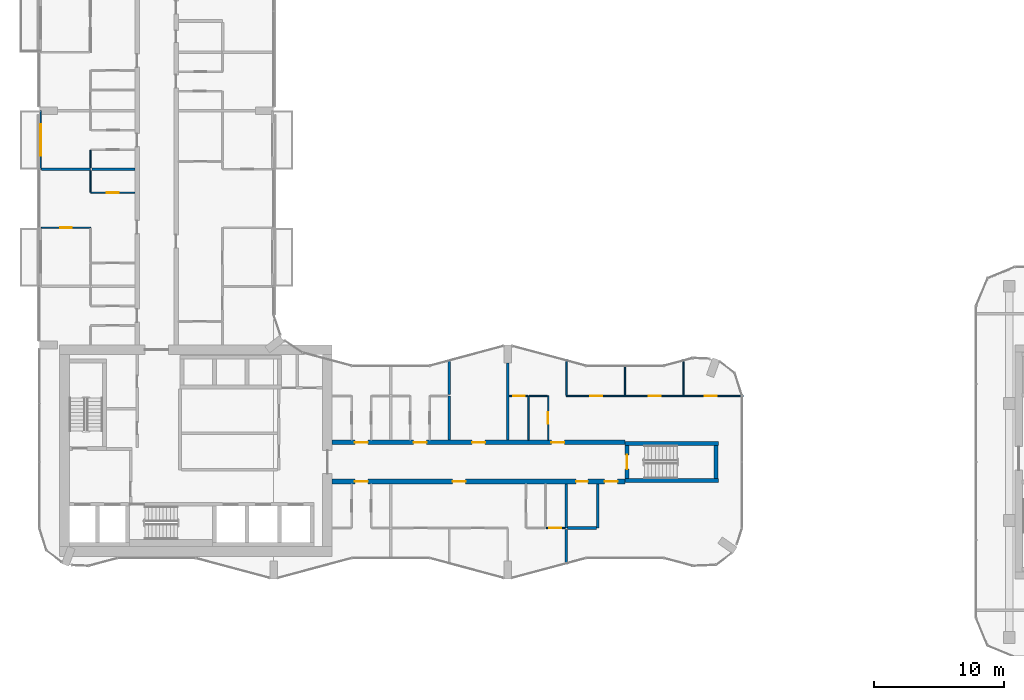
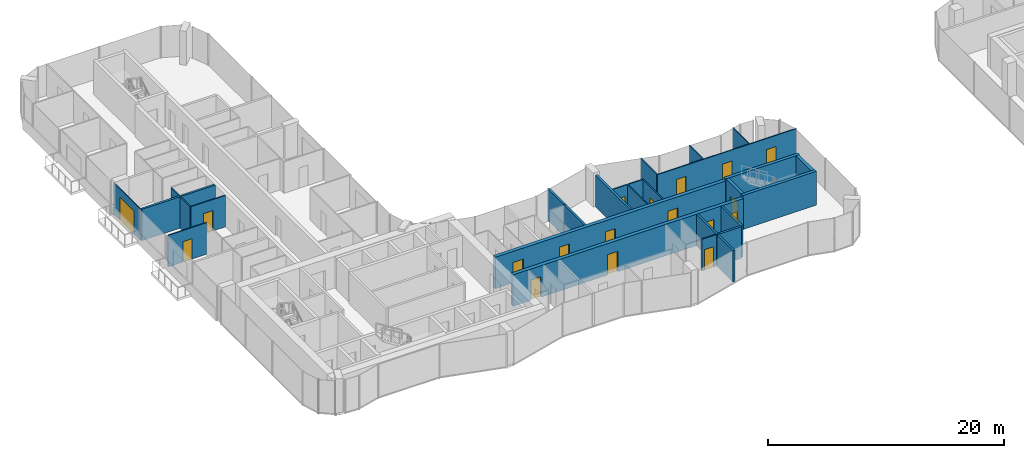
# One storey, part 15 of 23: 29 walls, 18 doors, 18 openings.
"""IFC4 building model written with IfcOpenShell, lengths in metres."""

import ifcopenshell
import ifcopenshell.guid

model = None  # the IFC model being written
_history = None  # IfcOwnerHistory: only IFC2X3 demands one
_inside = {}  # id of a spatial element -> (the spatial element, [elements in it])
_under = {}  # id of a project, library or spatial element -> (it, [spatial elements below it])
_declared = {}  # id of a project -> (the project, [libraries it declares])
_typed = {}  # id of a type object -> (the type object, [elements of that type])
_made_of = {}  # id of a material, layer set ... -> (it, [elements and type objects made of it])


def new_model(schema):
    """Start an empty IFC model of exactly this schema.

    Asked for "IFC4X3", IfcOpenShell would pick the latest addendum, in which some entities
    have other attributes; the version numbers below select the first issue.
    IFC2X3 requires an IfcOwnerHistory on every rooted entity: one is made here for all.
    """
    global model, _history
    if schema == "IFC4X3":
        model = ifcopenshell.file(schema_version=(4, 3, 0, 0))
    else:
        model = ifcopenshell.file(schema=schema)
    _inside.clear()
    _under.clear()
    _declared.clear()
    _typed.clear()
    _made_of.clear()
    _history = None
    if model.schema == "IFC2X3":
        org = make("IfcOrganization", Name="unknown")
        user = make(
            "IfcPersonAndOrganization",
            ThePerson=make("IfcPerson", FamilyName="unknown"),
            TheOrganization=org,
        )
        app = make(
            "IfcApplication",
            ApplicationDeveloper=org,
            Version="unknown",
            ApplicationFullName="unknown",
            ApplicationIdentifier="unknown",
        )
        _history = make(
            "IfcOwnerHistory",
            OwningUser=user,
            OwningApplication=app,
            ChangeAction="ADDED",
            CreationDate=0,
        )
    return model


def make(cls, **values):
    """One entity of the class cls with the attributes given. An attribute that is None is left unset."""
    return model.create_entity(
        cls, **{name: value for name, value in values.items() if value is not None}
    )


def rooted(cls, **values):
    """An entity with a GlobalId (a new one), such as an element, a storey or a relation."""
    return make(cls, GlobalId=ifcopenshell.guid.new(), OwnerHistory=_history, **values)


def si_unit(unit_type, name, prefix=None):
    """IfcSIUnit, for example si_unit("LENGTHUNIT", "METRE", prefix="MILLI")."""
    return make("IfcSIUnit", UnitType=unit_type, Prefix=prefix, Name=name)


def assignment(units):
    """IfcUnitAssignment: the units of a project."""
    return None if units is None else make("IfcUnitAssignment", Units=units)


def point(xyz):
    """IfcCartesianPoint."""
    return None if xyz is None else make("IfcCartesianPoint", Coordinates=xyz)


def direction(xyz):
    """IfcDirection."""
    return None if xyz is None else make("IfcDirection", DirectionRatios=xyz)


def frame(location, z_axis=None, x_axis=None):
    """IfcAxis2Placement3D, a coordinate frame: its origin and axes. An axis left out is left unset."""
    return make(
        "IfcAxis2Placement3D",
        Location=point(location),
        Axis=direction(z_axis),
        RefDirection=direction(x_axis),
    )


def frame_2d(location, x_axis=None):
    """IfcAxis2Placement2D, a coordinate frame in the plane: its origin and x axis."""
    return make(
        "IfcAxis2Placement2D", Location=point(location), RefDirection=direction(x_axis)
    )


def origin():
    """The frame at (0, 0, 0) with its axes left unset."""
    return frame((0.0, 0.0, 0.0))


def place(relative_to, where):
    """IfcLocalPlacement: puts the frame where relative to a parent placement (None: the world)."""
    return make(
        "IfcLocalPlacement", PlacementRelTo=relative_to, RelativePlacement=where
    )


def context(
    kind, dimensions, precision=None, world=None, true_north=None, identifier=None
):
    """IfcGeometricRepresentationContext, for example the 3D "Model" context."""
    return make(
        "IfcGeometricRepresentationContext",
        ContextIdentifier=identifier,
        ContextType=kind,
        CoordinateSpaceDimension=dimensions,
        Precision=precision,
        WorldCoordinateSystem=world,
        TrueNorth=true_north,
    )


def subcontext(parent, identifier, kind, view, scale=None):
    """IfcGeometricRepresentationSubContext, for example "Body" below "Model"."""
    return make(
        "IfcGeometricRepresentationSubContext",
        ContextIdentifier=identifier,
        ContextType=kind,
        ParentContext=parent,
        TargetScale=scale,
        TargetView=view,
    )


def project(units=None, contexts=None):
    """IfcProject with its units and contexts."""
    return rooted(
        "IfcProject",
        Name="project",
        RepresentationContexts=contexts,
        UnitsInContext=assignment(units),
    )


def spatial(cls, under=None, at=None, **own):
    """A site, building, storey or space (cls), placed at a placement, below another one or the project."""
    s = rooted(cls, ObjectPlacement=at, **own)
    if under is not None:
        _under.setdefault(under.id(), (under, []))[1].append(s)
    return s


def profile(cls, at=None, kind="AREA", **sizes):
    """A parametric profile (cls). Its sizes go by their IFC names, for example OverallWidth=200.0."""
    return make(cls, ProfileType=kind, Position=at, **sizes)


def rectangle(**sizes):
    """IfcRectangleProfileDef."""
    return profile("IfcRectangleProfileDef", **sizes)


def extrude(swept, where, along, depth):
    """IfcExtrudedAreaSolid: the profile swept, set in the frame where, extruded along a direction by depth."""
    return make(
        "IfcExtrudedAreaSolid",
        SweptArea=swept,
        Position=where,
        ExtrudedDirection=direction(along),
        Depth=depth,
    )


def shape(context_of_items, identifier, shape_type, items):
    """IfcShapeRepresentation: the items that make up one representation, for example the "Body"."""
    return make(
        "IfcShapeRepresentation",
        ContextOfItems=context_of_items,
        RepresentationIdentifier=identifier,
        RepresentationType=shape_type,
        Items=items,
    )


def material(Name=None, Category=None):
    """IfcMaterial."""
    return make("IfcMaterial", Name=Name, Category=Category)


def layer(
    of_material, thickness, ventilated=None, Name=None, Category=None, Priority=None
):
    """IfcMaterialLayer: one layer of a wall or slab, of a material (None: an air gap)."""
    return make(
        "IfcMaterialLayer",
        Material=of_material,
        LayerThickness=thickness,
        IsVentilated=ventilated,
        Name=Name,
        Category=Category,
        Priority=Priority,
    )


def layer_set(layers, Name=None):
    """IfcMaterialLayerSet."""
    return make("IfcMaterialLayerSet", MaterialLayers=layers, LayerSetName=Name)


def made_of(thing, what):
    """Note that an element or type object is made of a material, layer set ...; save() writes the relation."""
    if what is not None:
        _made_of.setdefault(what.id(), (what, []))[1].append(thing)
    return thing


def type_object(cls, material=None, **own):
    """A type object (cls), such as IfcWallType, which elements share."""
    return made_of(rooted(cls, **own), material)


def element(
    cls,
    number,
    at=None,
    inside=None,
    cuts=None,
    type_object=None,
    material=None,
    context=None,
    identifier="Body",
    shape_type=None,
    held_by="IfcProductDefinitionShape",
    body=None,
    shapes=None,
    **own,
):
    """One element of the class cls, such as IfcWall. Its Tag is "e" and its number.

    at: its placement. inside: the storey or other place that contains it. cuts: it is an
    opening in that element (IfcRelVoidsElement). A single representation is given by context,
    identifier, shape_type and body (its items); several are given by shapes. held_by: the class
    of the entity that holds the representations. save() writes the other relations.
    """
    e = rooted(cls, Tag="e%d" % number, ObjectPlacement=at, **own)
    if body is not None:
        shapes = [shape(context, identifier, shape_type, body)]
    if shapes is not None:
        e.Representation = make(held_by, Representations=shapes)
    if inside is not None:
        _inside.setdefault(inside.id(), (inside, []))[1].append(e)
    if cuts is not None:
        rooted(
            "IfcRelVoidsElement", RelatingBuildingElement=cuts, RelatedOpeningElement=e
        )
    if type_object is not None:
        _typed.setdefault(type_object.id(), (type_object, []))[1].append(e)
    return made_of(e, material)


def fill(opening, filler):
    """IfcRelFillsElement: the door or window that sits in an opening."""
    return rooted(
        "IfcRelFillsElement",
        RelatingOpeningElement=opening,
        RelatedBuildingElement=filler,
    )


def aggregate(whole, parts):
    """IfcRelAggregates: a whole, such as a stair, and the parts it consists of."""
    return rooted("IfcRelAggregates", RelatingObject=whole, RelatedObjects=parts)


def save(model, path):
    """Write the relations noted so far, then the file.

    IfcRelAggregates (storeys below a building ...), IfcRelContainedInSpatialStructure (elements
    in a storey), IfcRelDefinesByType, IfcRelAssociatesMaterial and IfcRelDeclares: one each for
    every whole, place, type object, material and project.
    """
    for whole, parts in _under.values():
        aggregate(whole, parts)
    for where, things in _inside.values():
        rooted(
            "IfcRelContainedInSpatialStructure",
            RelatedElements=things,
            RelatingStructure=where,
        )
    for kind, things in _typed.values():
        rooted("IfcRelDefinesByType", RelatedObjects=things, RelatingType=kind)
    for what, things in _made_of.values():
        rooted("IfcRelAssociatesMaterial", RelatedObjects=things, RelatingMaterial=what)
    for by, libraries in _declared.values():
        rooted("IfcRelDeclares", RelatingContext=by, RelatedDefinitions=libraries)
    model.write(path)


model = new_model("IFC4")

# Units and contexts
model_context = context("Model", 3, precision=1e-05, world=origin(), true_north=direction((0.0, 1.0)))
body_context = subcontext(model_context, "Body", "Model", "MODEL_VIEW")
ifc_project = project(units=[si_unit("LENGTHUNIT", "METRE"), si_unit("AREAUNIT", "SQUARE_METRE"), si_unit("VOLUMEUNIT", "CUBIC_METRE"), si_unit("PLANEANGLEUNIT", "RADIAN"), si_unit("MASSUNIT", "GRAM", prefix="KILO")], contexts=[model_context])

# Site, building, storey
site_placement = place(None, origin())
site = spatial("IfcSite", under=ifc_project, at=site_placement, CompositionType="ELEMENT")
building_placement = place(site_placement, origin())
building = spatial("IfcBuilding", under=site, at=building_placement, Name="Plateau Cross Towers", CompositionType="ELEMENT")
storey_placement = place(building_placement, frame((0.0, 0.0, 33.800048828125)))
storey = spatial("IfcBuildingStorey", under=building, at=storey_placement, Name="L07", CompositionType="ELEMENT", Elevation=33.800048828125)

# Wall, opening, door
ifc_material_1 = material(Name="Aluminium framed glazing", Category="aluminium")
ifc_layer_1 = layer(ifc_material_1, 0.10009765625)
ifc_layer_set_1 = layer_set([ifc_layer_1], Name="Aluminium framed glazing")
wall_type_1 = type_object("IfcWallType", Name="Balcony screen wall 100", PredefinedType="STANDARD", material=ifc_layer_set_1)
wall_1_placement = place(storey_placement, frame((0.10009765625, 31.5, 0.0), z_axis=(0.0, 0.0, 1.0), x_axis=(0.0, 1.0, 0.0)))
wall_1 = element("IfcWall", 1, at=wall_1_placement, inside=storey, type_object=wall_type_1, Name="Balcony screen wall A-BAL-L07-02", PredefinedType="STANDARD", context=body_context, shape_type="SweptSolid", body=[
    extrude(rectangle(XDim=4.5, YDim=0.10009765625, at=frame_2d((2.25, 0.0))), origin(), (0.0, 0.0, 1.0), 3.25),
])
opening_1_placement = place(wall_1_placement, frame((1.050048828125, 0.0, 0.0)))
opening_1 = element("IfcOpeningElement", 2, at=opening_1_placement, cuts=wall_1, Name="Opening D-B24", PredefinedType="OPENING", context=body_context, shape_type="SweptSolid", body=[
    extrude(rectangle(XDim=2.39990234375, YDim=2.39990234375, at=frame_2d((1.199951171875, 1.199951171875))), frame((0.0, 0.06005859375, 0.0), z_axis=(0.0, -1.0, 0.0), x_axis=(1.0, 0.0, 0.0)), (0.0, 0.0, 1.0), 0.1201171875),
])
ifc_material_2 = material(Name="Aluminium frame, double glazing", Category="aluminium")
door_type_1 = type_object("IfcDoorType", Name="Balcony sliding door 2400", OperationType="NOTDEFINED", PredefinedType="DOOR", material=ifc_material_2)
door_1_placement = place(opening_1_placement, origin())
door_1 = element("IfcDoor", 3, at=door_1_placement, inside=storey, type_object=door_type_1, Name="Balcony door A-BAL-L07-02", OperationType="SINGLE_SWING_LEFT", OverallHeight=2.39990234375, OverallWidth=2.39990234375, PredefinedType="DOOR", context=body_context, shape_type="SweptSolid", body=[
    extrude(rectangle(XDim=2.39990234375, YDim=2.39990234375, at=frame_2d((1.199951171875, 1.199951171875))), frame((0.0, 0.02490234375, 0.0), z_axis=(0.0, -1.0, 0.0), x_axis=(1.0, 0.0, 0.0)), (0.0, 0.0, 1.0), 0.050048828125),
])
fill(opening_1, door_1)

# Wall, openings, doors
ifc_material_3 = material(Name="Concrete C60/75", Category="concrete")
ifc_layer_2 = layer(ifc_material_3, 0.35009765625)
ifc_layer_set_2 = layer_set([ifc_layer_2], Name="Concrete C60/75")
wall_type_2 = type_object("IfcWallType", Name="Corridor wall 350", PredefinedType="SHEAR", material=ifc_layer_set_2)
wall_2_placement = place(storey_placement, frame((22.5, 7.5, 0.0), z_axis=(0.0, 0.0, 1.0), x_axis=(1.0, 0.0, 0.0)))
wall_2 = element("IfcWall", 4, at=wall_2_placement, inside=storey, type_object=wall_type_2, Name="A-cw-S1@L07", PredefinedType="SHEAR", context=body_context, shape_type="SweptSolid", body=[
    extrude(rectangle(XDim=22.5, YDim=0.35009765625, at=frame_2d((11.25, 0.0))), origin(), (0.0, 0.0, 1.0), 3.25),
])
opening_2_placement = place(wall_2_placement, frame((1.75, 0.0, 0.0)))
opening_2 = element("IfcOpeningElement", 5, at=opening_2_placement, cuts=wall_2, Name="Opening 07-01", PredefinedType="OPENING", context=body_context, shape_type="SweptSolid", body=[
    extrude(rectangle(XDim=1.0, YDim=2.10009765625, at=frame_2d((0.5, 1.050048828125))), frame((0.0, 0.18505859375, 0.0), z_axis=(0.0, -1.0, 0.0), x_axis=(1.0, 0.0, 0.0)), (0.0, 0.0, 1.0), 0.3701171875),
])
opening_3_placement = place(wall_2_placement, frame((9.25, 0.0, 0.0)))
opening_3 = element("IfcOpeningElement", 6, at=opening_3_placement, cuts=wall_2, Name="Opening 07-02", PredefinedType="OPENING", context=body_context, shape_type="SweptSolid", body=[
    extrude(rectangle(XDim=1.0, YDim=2.10009765625, at=frame_2d((0.5, 1.050048828125))), frame((0.0, 0.18505859375, 0.0), z_axis=(0.0, -1.0, 0.0), x_axis=(1.0, 0.0, 0.0)), (0.0, 0.0, 1.0), 0.3701171875),
])
opening_4_placement = place(wall_2_placement, frame((18.75, 0.0, 0.0)))
opening_4 = element("IfcOpeningElement", 7, at=opening_4_placement, cuts=wall_2, Name="Opening 07-03", PredefinedType="OPENING", context=body_context, shape_type="SweptSolid", body=[
    extrude(rectangle(XDim=0.89990234375, YDim=2.10009765625, at=frame_2d((0.449951171875, 1.050048828125))), frame((0.0, 0.18505859375, 0.0), z_axis=(0.0, -1.0, 0.0), x_axis=(1.0, 0.0, 0.0)), (0.0, 0.0, 1.0), 0.3701171875),
])
opening_5_placement = place(wall_2_placement, frame((20.949951171875, 0.0, 0.0)))
opening_5 = element("IfcOpeningElement", 8, at=opening_5_placement, cuts=wall_2, Name="Opening 07-04", PredefinedType="OPENING", context=body_context, shape_type="SweptSolid", body=[
    extrude(rectangle(XDim=1.0, YDim=2.10009765625, at=frame_2d((0.5, 1.050048828125))), frame((0.0, 0.18505859375, 0.0), z_axis=(0.0, -1.0, 0.0), x_axis=(1.0, 0.0, 0.0)), (0.0, 0.0, 1.0), 0.3701171875),
])
ifc_material_4 = material(Name="Timber, fire-resisting leaf", Category="wood")
door_type_2 = type_object("IfcDoorType", Name="Flat entrance door 1000", OperationType="NOTDEFINED", PredefinedType="DOOR", material=ifc_material_4)
door_2_placement = place(opening_2_placement, origin())
door_2 = element("IfcDoor", 9, at=door_2_placement, inside=storey, type_object=door_type_2, Name="Door 07-01", OperationType="SINGLE_SWING_LEFT", OverallHeight=2.10009765625, OverallWidth=1.0, PredefinedType="DOOR", context=body_context, shape_type="SweptSolid", body=[
    extrude(rectangle(XDim=1.0, YDim=2.10009765625, at=frame_2d((0.5, 1.050048828125))), frame((0.0, 0.02490234375, 0.0), z_axis=(0.0, -1.0, 0.0), x_axis=(1.0, 0.0, 0.0)), (0.0, 0.0, 1.0), 0.050048828125),
])
fill(opening_2, door_2)
door_3_placement = place(opening_3_placement, origin())
door_3 = element("IfcDoor", 10, at=door_3_placement, inside=storey, type_object=door_type_2, Name="Door 07-02", OperationType="SINGLE_SWING_LEFT", OverallHeight=2.10009765625, OverallWidth=1.0, PredefinedType="DOOR", context=body_context, shape_type="SweptSolid", body=[
    extrude(rectangle(XDim=1.0, YDim=2.10009765625, at=frame_2d((0.5, 1.050048828125))), frame((0.0, 0.02490234375, 0.0), z_axis=(0.0, -1.0, 0.0), x_axis=(1.0, 0.0, 0.0)), (0.0, 0.0, 1.0), 0.050048828125),
])
fill(opening_3, door_3)
door_4_placement = place(opening_5_placement, origin())
door_4 = element("IfcDoor", 11, at=door_4_placement, inside=storey, type_object=door_type_2, Name="Door 07-04", OperationType="SINGLE_SWING_RIGHT", OverallHeight=2.10009765625, OverallWidth=1.0, PredefinedType="DOOR", context=body_context, shape_type="SweptSolid", body=[
    extrude(rectangle(XDim=1.0, YDim=2.10009765625, at=frame_2d((0.5, 1.050048828125))), frame((0.0, 0.02490234375, 0.0), z_axis=(0.0, -1.0, 0.0), x_axis=(1.0, 0.0, 0.0)), (0.0, 0.0, 1.0), 0.050048828125),
])
fill(opening_5, door_4)
door_type_3 = type_object("IfcDoorType", Name="Flat floor service door 900", OperationType="NOTDEFINED", PredefinedType="DOOR", material=ifc_material_4)
door_5_placement = place(opening_4_placement, origin())
door_5 = element("IfcDoor", 12, at=door_5_placement, inside=storey, type_object=door_type_3, Name="Door 07-03", OperationType="SINGLE_SWING_RIGHT", OverallHeight=2.10009765625, OverallWidth=0.89990234375, PredefinedType="DOOR", context=body_context, shape_type="SweptSolid", body=[
    extrude(rectangle(XDim=0.89990234375, YDim=2.10009765625, at=frame_2d((0.449951171875, 1.050048828125))), frame((0.0, 0.02490234375, 0.0), z_axis=(0.0, -1.0, 0.0), x_axis=(1.0, 0.0, 0.0)), (0.0, 0.0, 1.0), 0.050048828125),
])
fill(opening_4, door_5)

wall_3_placement = place(storey_placement, frame((22.5, 10.5, 0.0), z_axis=(0.0, 0.0, 1.0), x_axis=(1.0, 0.0, 0.0)))
wall_3 = element("IfcWall", 13, at=wall_3_placement, inside=storey, type_object=wall_type_2, Name="A-cw-S2@L07", PredefinedType="SHEAR", context=body_context, shape_type="SweptSolid", body=[
    extrude(rectangle(XDim=22.5, YDim=0.35009765625, at=frame_2d((11.25, 0.0))), origin(), (0.0, 0.0, 1.0), 3.25),
])
opening_6_placement = place(wall_3_placement, frame((1.75, 0.0, 0.0)))
opening_6 = element("IfcOpeningElement", 14, at=opening_6_placement, cuts=wall_3, Name="Opening 07-05", PredefinedType="OPENING", context=body_context, shape_type="SweptSolid", body=[
    extrude(rectangle(XDim=1.0, YDim=2.10009765625, at=frame_2d((0.5, 1.050048828125))), frame((0.0, 0.18505859375, 0.0), z_axis=(0.0, -1.0, 0.0), x_axis=(1.0, 0.0, 0.0)), (0.0, 0.0, 1.0), 0.3701171875),
])
opening_7_placement = place(wall_3_placement, frame((6.25, 0.0, 0.0)))
opening_7 = element("IfcOpeningElement", 15, at=opening_7_placement, cuts=wall_3, Name="Opening 07-06", PredefinedType="OPENING", context=body_context, shape_type="SweptSolid", body=[
    extrude(rectangle(XDim=1.0, YDim=2.10009765625, at=frame_2d((0.5, 1.050048828125))), frame((0.0, 0.18505859375, 0.0), z_axis=(0.0, -1.0, 0.0), x_axis=(1.0, 0.0, 0.0)), (0.0, 0.0, 1.0), 0.3701171875),
])
opening_8_placement = place(wall_3_placement, frame((10.75, 0.0, 0.0)))
opening_8 = element("IfcOpeningElement", 16, at=opening_8_placement, cuts=wall_3, Name="Opening 07-07", PredefinedType="OPENING", context=body_context, shape_type="SweptSolid", body=[
    extrude(rectangle(XDim=1.0, YDim=2.10009765625, at=frame_2d((0.5, 1.050048828125))), frame((0.0, 0.18505859375, 0.0), z_axis=(0.0, -1.0, 0.0), x_axis=(1.0, 0.0, 0.0)), (0.0, 0.0, 1.0), 0.3701171875),
])
opening_9_placement = place(wall_3_placement, frame((16.85009765625, 0.0, 0.0)))
opening_9 = element("IfcOpeningElement", 17, at=opening_9_placement, cuts=wall_3, Name="Opening 07-08", PredefinedType="OPENING", context=body_context, shape_type="SweptSolid", body=[
    extrude(rectangle(XDim=1.0, YDim=2.10009765625, at=frame_2d((0.5, 1.050048828125))), frame((0.0, 0.18505859375, 0.0), z_axis=(0.0, -1.0, 0.0), x_axis=(1.0, 0.0, 0.0)), (0.0, 0.0, 1.0), 0.3701171875),
])
door_6_placement = place(opening_6_placement, origin())
door_6 = element("IfcDoor", 18, at=door_6_placement, inside=storey, type_object=door_type_2, Name="Door 07-05", OperationType="SINGLE_SWING_LEFT", OverallHeight=2.10009765625, OverallWidth=1.0, PredefinedType="DOOR", context=body_context, shape_type="SweptSolid", body=[
    extrude(rectangle(XDim=1.0, YDim=2.10009765625, at=frame_2d((0.5, 1.050048828125))), frame((0.0, 0.02490234375, 0.0), z_axis=(0.0, -1.0, 0.0), x_axis=(1.0, 0.0, 0.0)), (0.0, 0.0, 1.0), 0.050048828125),
])
fill(opening_6, door_6)
door_7_placement = place(opening_7_placement, origin())
door_7 = element("IfcDoor", 19, at=door_7_placement, inside=storey, type_object=door_type_2, Name="Door 07-06", OperationType="SINGLE_SWING_LEFT", OverallHeight=2.10009765625, OverallWidth=1.0, PredefinedType="DOOR", context=body_context, shape_type="SweptSolid", body=[
    extrude(rectangle(XDim=1.0, YDim=2.10009765625, at=frame_2d((0.5, 1.050048828125))), frame((0.0, 0.02490234375, 0.0), z_axis=(0.0, -1.0, 0.0), x_axis=(1.0, 0.0, 0.0)), (0.0, 0.0, 1.0), 0.050048828125),
])
fill(opening_7, door_7)
door_8_placement = place(opening_8_placement, origin())
door_8 = element("IfcDoor", 20, at=door_8_placement, inside=storey, type_object=door_type_2, Name="Door 07-07", OperationType="SINGLE_SWING_LEFT", OverallHeight=2.10009765625, OverallWidth=1.0, PredefinedType="DOOR", context=body_context, shape_type="SweptSolid", body=[
    extrude(rectangle(XDim=1.0, YDim=2.10009765625, at=frame_2d((0.5, 1.050048828125))), frame((0.0, 0.02490234375, 0.0), z_axis=(0.0, -1.0, 0.0), x_axis=(1.0, 0.0, 0.0)), (0.0, 0.0, 1.0), 0.050048828125),
])
fill(opening_8, door_8)
door_9_placement = place(opening_9_placement, origin())
door_9 = element("IfcDoor", 21, at=door_9_placement, inside=storey, type_object=door_type_2, Name="Door 07-08", OperationType="SINGLE_SWING_RIGHT", OverallHeight=2.10009765625, OverallWidth=1.0, PredefinedType="DOOR", context=body_context, shape_type="SweptSolid", body=[
    extrude(rectangle(XDim=1.0, YDim=2.10009765625, at=frame_2d((0.5, 1.050048828125))), frame((0.0, 0.02490234375, 0.0), z_axis=(0.0, -1.0, 0.0), x_axis=(1.0, 0.0, 0.0)), (0.0, 0.0, 1.0), 0.050048828125),
])
fill(opening_9, door_9)

# Wall, opening, door
ifc_material_5 = material(Name="Gypsum board on steel studs", Category="steel")
ifc_layer_3 = layer(ifc_material_5, 0.10009765625)
ifc_layer_set_3 = layer_set([ifc_layer_3], Name="Gypsum board on steel studs")
wall_type_3 = type_object("IfcWallType", Name="Flat partition 100", PredefinedType="PARTITIONING", material=ifc_layer_set_3)
wall_4_placement = place(storey_placement, frame((38.949951171875, 3.925048828125, 0.0), z_axis=(0.0, 0.0, 1.0), x_axis=(1.0, 0.0, 0.0)))
wall_4 = element("IfcWall", 22, at=wall_4_placement, inside=storey, type_object=wall_type_3, Name="Partition wall", PredefinedType="PARTITIONING", context=body_context, shape_type="SweptSolid", body=[
    extrude(rectangle(XDim=1.449951171875, YDim=0.10009765625, at=frame_2d((0.72509765625, 0.0))), origin(), (0.0, 0.0, 1.0), 3.25),
])
opening_10_placement = place(wall_4_placement, frame((0.25, 0.0, 0.0)))
opening_10 = element("IfcOpeningElement", 23, at=opening_10_placement, cuts=wall_4, Name="Opening 07-20", PredefinedType="OPENING", context=body_context, shape_type="SweptSolid", body=[
    extrude(rectangle(XDim=0.89990234375, YDim=2.10009765625, at=frame_2d((0.449951171875, 1.050048828125))), frame((0.0, 0.06005859375, 0.0), z_axis=(0.0, -1.0, 0.0), x_axis=(1.0, 0.0, 0.0)), (0.0, 0.0, 1.0), 0.1201171875),
])
ifc_material_6 = material(Name="Timber leaf", Category="wood")
door_type_4 = type_object("IfcDoorType", Name="Flat room door 900", OperationType="NOTDEFINED", PredefinedType="DOOR", material=ifc_material_6)
door_10_placement = place(opening_10_placement, origin())
door_10 = element("IfcDoor", 24, at=door_10_placement, inside=storey, type_object=door_type_4, Name="Door 07-20", OperationType="SINGLE_SWING_LEFT", OverallHeight=2.10009765625, OverallWidth=0.89990234375, PredefinedType="DOOR", context=body_context, shape_type="SweptSolid", body=[
    extrude(rectangle(XDim=0.89990234375, YDim=2.10009765625, at=frame_2d((0.449951171875, 1.050048828125))), frame((0.0, 0.02490234375, 0.0), z_axis=(0.0, -1.0, 0.0), x_axis=(1.0, 0.0, 0.0)), (0.0, 0.0, 1.0), 0.050048828125),
])
fill(opening_10, door_10)

wall_5_placement = place(storey_placement, frame((37.550048828125, 14.074951171875, 0.0), z_axis=(0.0, 0.0, 1.0), x_axis=(-1.0, 0.0, 0.0)))
wall_5 = element("IfcWall", 25, at=wall_5_placement, inside=storey, type_object=wall_type_3, Name="Partition wall", PredefinedType="PARTITIONING", context=body_context, shape_type="SweptSolid", body=[
    extrude(rectangle(XDim=1.449951171875, YDim=0.10009765625, at=frame_2d((0.72509765625, 0.0))), origin(), (0.0, 0.0, 1.0), 3.25),
])
opening_11_placement = place(wall_5_placement, frame((0.25, 0.0, 0.0)))
opening_11 = element("IfcOpeningElement", 26, at=opening_11_placement, cuts=wall_5, Name="Opening 07-27", PredefinedType="OPENING", context=body_context, shape_type="SweptSolid", body=[
    extrude(rectangle(XDim=0.89990234375, YDim=2.10009765625, at=frame_2d((0.449951171875, 1.050048828125))), frame((0.0, 0.06005859375, 0.0), z_axis=(0.0, -1.0, 0.0), x_axis=(1.0, 0.0, 0.0)), (0.0, 0.0, 1.0), 0.1201171875),
])
door_11_placement = place(opening_11_placement, origin())
door_11 = element("IfcDoor", 27, at=door_11_placement, inside=storey, type_object=door_type_4, Name="Door 07-27", OperationType="SINGLE_SWING_LEFT", OverallHeight=2.10009765625, OverallWidth=0.89990234375, PredefinedType="DOOR", context=body_context, shape_type="SweptSolid", body=[
    extrude(rectangle(XDim=0.89990234375, YDim=2.10009765625, at=frame_2d((0.449951171875, 1.050048828125))), frame((0.0, 0.02490234375, 0.0), z_axis=(0.0, -1.0, 0.0), x_axis=(1.0, 0.0, 0.0)), (0.0, 0.0, 1.0), 0.050048828125),
])
fill(opening_11, door_11)

# Wall
wall_6_placement = place(storey_placement, frame((39.050048828125, 14.074951171875, 0.0), z_axis=(0.0, 0.0, 1.0), x_axis=(-1.0, 0.0, 0.0)))
element("IfcWall", 28, at=wall_6_placement, inside=storey, type_object=wall_type_3, Name="Partition wall", PredefinedType="PARTITIONING", context=body_context, shape_type="SweptSolid", body=[
    extrude(rectangle(XDim=1.400146484375, YDim=0.10009765625, at=frame_2d((0.7001953125, 0.0))), origin(), (0.0, 0.0, 1.0), 3.25),
])

# Wall, openings, doors
wall_7_placement = place(storey_placement, frame((40.5, 14.074951171875, 0.0), z_axis=(0.0, 0.0, 1.0), x_axis=(1.0, 0.0, 0.0)))
wall_7 = element("IfcWall", 29, at=wall_7_placement, inside=storey, type_object=wall_type_3, Name="Partition wall", PredefinedType="PARTITIONING", context=body_context, shape_type="SweptSolid", body=[
    extrude(rectangle(XDim=13.580078125, YDim=0.10009765625, at=frame_2d((6.7900390625, 0.0))), origin(), (0.0, 0.0, 1.0), 3.25),
])
opening_12_placement = place(wall_7_placement, frame((1.85009765625, 0.0, 0.0)))
opening_12 = element("IfcOpeningElement", 30, at=opening_12_placement, cuts=wall_7, Name="Opening 07-29", PredefinedType="OPENING", context=body_context, shape_type="SweptSolid", body=[
    extrude(rectangle(XDim=0.89990234375, YDim=2.10009765625, at=frame_2d((0.449951171875, 1.050048828125))), frame((0.0, 0.06005859375, 0.0), z_axis=(0.0, -1.0, 0.0), x_axis=(1.0, 0.0, 0.0)), (0.0, 0.0, 1.0), 0.1201171875),
])
opening_13_placement = place(wall_7_placement, frame((6.35009765625, 0.0, 0.0)))
opening_13 = element("IfcOpeningElement", 31, at=opening_13_placement, cuts=wall_7, Name="Opening 07-30", PredefinedType="OPENING", context=body_context, shape_type="SweptSolid", body=[
    extrude(rectangle(XDim=0.89990234375, YDim=2.10009765625, at=frame_2d((0.449951171875, 1.050048828125))), frame((0.0, 0.06005859375, 0.0), z_axis=(0.0, -1.0, 0.0), x_axis=(1.0, 0.0, 0.0)), (0.0, 0.0, 1.0), 0.1201171875),
])
opening_14_placement = place(wall_7_placement, frame((10.64990234375, 0.0, 0.0)))
opening_14 = element("IfcOpeningElement", 32, at=opening_14_placement, cuts=wall_7, Name="Opening 07-31", PredefinedType="OPENING", context=body_context, shape_type="SweptSolid", body=[
    extrude(rectangle(XDim=0.89990234375, YDim=2.10009765625, at=frame_2d((0.449951171875, 1.050048828125))), frame((0.0, 0.06005859375, 0.0), z_axis=(0.0, -1.0, 0.0), x_axis=(1.0, 0.0, 0.0)), (0.0, 0.0, 1.0), 0.1201171875),
])
door_12_placement = place(opening_12_placement, origin())
door_12 = element("IfcDoor", 33, at=door_12_placement, inside=storey, type_object=door_type_4, Name="Door 07-29", OperationType="SINGLE_SWING_LEFT", OverallHeight=2.10009765625, OverallWidth=0.89990234375, PredefinedType="DOOR", context=body_context, shape_type="SweptSolid", body=[
    extrude(rectangle(XDim=0.89990234375, YDim=2.10009765625, at=frame_2d((0.449951171875, 1.050048828125))), frame((0.0, 0.02490234375, 0.0), z_axis=(0.0, -1.0, 0.0), x_axis=(1.0, 0.0, 0.0)), (0.0, 0.0, 1.0), 0.050048828125),
])
fill(opening_12, door_12)
door_13_placement = place(opening_13_placement, origin())
door_13 = element("IfcDoor", 34, at=door_13_placement, inside=storey, type_object=door_type_4, Name="Door 07-30", OperationType="SINGLE_SWING_RIGHT", OverallHeight=2.10009765625, OverallWidth=0.89990234375, PredefinedType="DOOR", context=body_context, shape_type="SweptSolid", body=[
    extrude(rectangle(XDim=0.89990234375, YDim=2.10009765625, at=frame_2d((0.449951171875, 1.050048828125))), frame((0.0, 0.02490234375, 0.0), z_axis=(0.0, -1.0, 0.0), x_axis=(1.0, 0.0, 0.0)), (0.0, 0.0, 1.0), 0.050048828125),
])
fill(opening_13, door_13)
door_14_placement = place(opening_14_placement, origin())
door_14 = element("IfcDoor", 35, at=door_14_placement, inside=storey, type_object=door_type_4, Name="Door 07-31", OperationType="SINGLE_SWING_RIGHT", OverallHeight=2.10009765625, OverallWidth=0.89990234375, PredefinedType="DOOR", context=body_context, shape_type="SweptSolid", body=[
    extrude(rectangle(XDim=0.89990234375, YDim=2.10009765625, at=frame_2d((0.449951171875, 1.050048828125))), frame((0.0, 0.02490234375, 0.0), z_axis=(0.0, -1.0, 0.0), x_axis=(1.0, 0.0, 0.0)), (0.0, 0.0, 1.0), 0.050048828125),
])
fill(opening_14, door_14)

# Wall, opening, door
wall_8_placement = place(storey_placement, frame((3.925048828125, 27.0, 0.0), z_axis=(0.0, 0.0, 1.0), x_axis=(-1.0, 0.0, 0.0)))
wall_8 = element("IfcWall", 36, at=wall_8_placement, inside=storey, type_object=wall_type_3, Name="Partition wall", PredefinedType="PARTITIONING", context=body_context, shape_type="SweptSolid", body=[
    extrude(rectangle(XDim=3.775146484375, YDim=0.10009765625, at=frame_2d((1.8876953125, 0.0))), origin(), (0.0, 0.0, 1.0), 3.25),
])
opening_15_placement = place(wall_8_placement, frame((1.449951171875, 0.0, 0.0)))
opening_15 = element("IfcOpeningElement", 37, at=opening_15_placement, cuts=wall_8, Name="Opening 07-36", PredefinedType="OPENING", context=body_context, shape_type="SweptSolid", body=[
    extrude(rectangle(XDim=0.89990234375, YDim=2.10009765625, at=frame_2d((0.449951171875, 1.050048828125))), frame((0.0, 0.06005859375, 0.0), z_axis=(0.0, -1.0, 0.0), x_axis=(1.0, 0.0, 0.0)), (0.0, 0.0, 1.0), 0.1201171875),
])
door_15_placement = place(opening_15_placement, origin())
door_15 = element("IfcDoor", 38, at=door_15_placement, inside=storey, type_object=door_type_4, Name="Door 07-36", OperationType="SINGLE_SWING_RIGHT", OverallHeight=2.10009765625, OverallWidth=0.89990234375, PredefinedType="DOOR", context=body_context, shape_type="SweptSolid", body=[
    extrude(rectangle(XDim=0.89990234375, YDim=2.10009765625, at=frame_2d((0.449951171875, 1.050048828125))), frame((0.0, 0.02490234375, 0.0), z_axis=(0.0, -1.0, 0.0), x_axis=(1.0, 0.0, 0.0)), (0.0, 0.0, 1.0), 0.050048828125),
])
fill(opening_15, door_15)

wall_9_placement = place(storey_placement, frame((3.925048828125, 29.699951171875, 0.0), z_axis=(0.0, 0.0, 1.0), x_axis=(1.0, 0.0, 0.0)))
wall_9 = element("IfcWall", 39, at=wall_9_placement, inside=storey, type_object=wall_type_3, Name="Partition wall", PredefinedType="PARTITIONING", context=body_context, shape_type="SweptSolid", body=[
    extrude(rectangle(XDim=3.39990234375, YDim=0.10009765625, at=frame_2d((1.699951171875, 0.0))), origin(), (0.0, 0.0, 1.0), 3.25),
])
opening_16_placement = place(wall_9_placement, frame((1.25, 0.0, 0.0)))
opening_16 = element("IfcOpeningElement", 40, at=opening_16_placement, cuts=wall_9, Name="Opening 07-35", PredefinedType="OPENING", context=body_context, shape_type="SweptSolid", body=[
    extrude(rectangle(XDim=0.89990234375, YDim=2.10009765625, at=frame_2d((0.449951171875, 1.050048828125))), frame((0.0, 0.06005859375, 0.0), z_axis=(0.0, -1.0, 0.0), x_axis=(1.0, 0.0, 0.0)), (0.0, 0.0, 1.0), 0.1201171875),
])
door_16_placement = place(opening_16_placement, origin())
door_16 = element("IfcDoor", 41, at=door_16_placement, inside=storey, type_object=door_type_4, Name="Door 07-35", OperationType="SINGLE_SWING_LEFT", OverallHeight=2.10009765625, OverallWidth=0.89990234375, PredefinedType="DOOR", context=body_context, shape_type="SweptSolid", body=[
    extrude(rectangle(XDim=0.89990234375, YDim=2.10009765625, at=frame_2d((0.449951171875, 1.050048828125))), frame((0.0, 0.02490234375, 0.0), z_axis=(0.0, -1.0, 0.0), x_axis=(1.0, 0.0, 0.0)), (0.0, 0.0, 1.0), 0.050048828125),
])
fill(opening_16, door_16)

# Walls
wall_10_placement = place(storey_placement, frame((3.925048828125, 31.39990234375, 0.0), z_axis=(0.0, 0.0, 1.0), x_axis=(0.0, -1.0, 0.0)))
element("IfcWall", 42, at=wall_10_placement, inside=storey, type_object=wall_type_3, Name="Partition wall", PredefinedType="PARTITIONING", context=body_context, shape_type="SweptSolid", body=[
    extrude(rectangle(XDim=1.64990234375, YDim=0.10009765625, at=frame_2d((0.824951171875, 0.0))), origin(), (0.0, 0.0, 1.0), 3.25),
])
wall_11_placement = place(storey_placement, frame((3.925048828125, 32.949951171875, 0.0), z_axis=(0.0, 0.0, 1.0), x_axis=(0.0, -1.0, 0.0)))
element("IfcWall", 43, at=wall_11_placement, inside=storey, type_object=wall_type_3, Name="Partition wall", PredefinedType="PARTITIONING", context=body_context, shape_type="SweptSolid", body=[
    extrude(rectangle(XDim=1.349853515625, YDim=0.10009765625, at=frame_2d((0.6748046875, 0.0))), origin(), (0.0, 0.0, 1.0), 3.25),
])
wall_12_placement = place(storey_placement, frame((37.60009765625, 10.675048828125, 0.0), z_axis=(0.0, 0.0, 1.0), x_axis=(0.0, 1.0, 0.0)))
element("IfcWall", 44, at=wall_12_placement, inside=storey, type_object=wall_type_3, Name="Partition wall", PredefinedType="PARTITIONING", context=body_context, shape_type="SweptSolid", body=[
    extrude(rectangle(XDim=3.39990234375, YDim=0.10009765625, at=frame_2d((1.699951171875, 0.0))), origin(), (0.0, 0.0, 1.0), 3.25),
])

# Wall, opening, door
wall_13_placement = place(storey_placement, frame((39.10009765625, 10.675048828125, 0.0), z_axis=(0.0, 0.0, 1.0), x_axis=(0.0, 1.0, 0.0)))
wall_13 = element("IfcWall", 45, at=wall_13_placement, inside=storey, type_object=wall_type_3, Name="Partition wall", PredefinedType="PARTITIONING", context=body_context, shape_type="SweptSolid", body=[
    extrude(rectangle(XDim=3.39990234375, YDim=0.10009765625, at=frame_2d((1.699951171875, 0.0))), origin(), (0.0, 0.0, 1.0), 3.25),
])
opening_17_placement = place(wall_13_placement, frame((1.25, 0.0, 0.0)))
opening_17 = element("IfcOpeningElement", 46, at=opening_17_placement, cuts=wall_13, Name="Opening 07-28", PredefinedType="OPENING", context=body_context, shape_type="SweptSolid", body=[
    extrude(rectangle(XDim=0.89990234375, YDim=2.10009765625, at=frame_2d((0.449951171875, 1.050048828125))), frame((0.0, 0.06005859375, 0.0), z_axis=(0.0, -1.0, 0.0), x_axis=(1.0, 0.0, 0.0)), (0.0, 0.0, 1.0), 0.1201171875),
])
door_17_placement = place(opening_17_placement, origin())
door_17 = element("IfcDoor", 47, at=door_17_placement, inside=storey, type_object=door_type_4, Name="Door 07-28", OperationType="SINGLE_SWING_RIGHT", OverallHeight=2.10009765625, OverallWidth=0.89990234375, PredefinedType="DOOR", context=body_context, shape_type="SweptSolid", body=[
    extrude(rectangle(XDim=0.89990234375, YDim=2.10009765625, at=frame_2d((0.449951171875, 1.050048828125))), frame((0.0, 0.02490234375, 0.0), z_axis=(0.0, -1.0, 0.0), x_axis=(1.0, 0.0, 0.0)), (0.0, 0.0, 1.0), 0.050048828125),
])
fill(opening_17, door_17)

# Walls
wall_14_placement = place(storey_placement, frame((40.5, 16.877685546875, 0.0), z_axis=(0.0, 0.0, 1.0), x_axis=(0.0, -1.0, 0.0)))
element("IfcWall", 48, at=wall_14_placement, inside=storey, type_object=wall_type_3, Name="Partition wall", PredefinedType="PARTITIONING", context=body_context, shape_type="SweptSolid", body=[
    extrude(rectangle(XDim=2.752685546875, YDim=0.10009765625, at=frame_2d((1.37646484375, 0.0))), origin(), (0.0, 0.0, 1.0), 3.25),
])
wall_15_placement = place(storey_placement, frame((45.0, 14.125, 0.0), z_axis=(0.0, 0.0, 1.0), x_axis=(0.0, 1.0, 0.0)))
element("IfcWall", 49, at=wall_15_placement, inside=storey, type_object=wall_type_3, Name="Partition wall", PredefinedType="PARTITIONING", context=body_context, shape_type="SweptSolid", body=[
    extrude(rectangle(XDim=2.34814453125, YDim=0.10009765625, at=frame_2d((1.174072265625, 0.0))), origin(), (0.0, 0.0, 1.0), 3.25),
])
wall_16_placement = place(storey_placement, frame((49.5, 14.125, 0.0), z_axis=(0.0, 0.0, 1.0), x_axis=(0.0, 1.0, 0.0)))
element("IfcWall", 50, at=wall_16_placement, inside=storey, type_object=wall_type_3, Name="Partition wall", PredefinedType="PARTITIONING", context=body_context, shape_type="SweptSolid", body=[
    extrude(rectangle(XDim=2.752685546875, YDim=0.10009765625, at=frame_2d((1.37646484375, 0.0))), origin(), (0.0, 0.0, 1.0), 3.25),
])
ifc_material_7 = material(Name="Gypsum board on steel studs, two layers each side", Category="steel")
ifc_layer_4 = layer(ifc_material_7, 0.199951171875)
ifc_layer_set_4 = layer_set([ifc_layer_4], Name="Gypsum board on steel studs, two layers each side")
wall_type_4 = type_object("IfcWallType", Name="Flat party wall 200", PredefinedType="PARTITIONING", material=ifc_layer_set_4)
wall_17_placement = place(storey_placement, frame((40.60009765625, 3.925048828125, 0.0), z_axis=(0.0, 0.0, 1.0), x_axis=(1.0, 0.0, 0.0)))
element("IfcWall", 51, at=wall_17_placement, inside=storey, type_object=wall_type_4, Name="Party wall", PredefinedType="PARTITIONING", context=body_context, shape_type="SweptSolid", body=[
    extrude(rectangle(XDim=2.199951171875, YDim=0.199951171875, at=frame_2d((1.10009765625, 0.0))), origin(), (0.0, 0.0, 1.0), 3.25),
])
wall_18_placement = place(storey_placement, frame((7.324951171875, 31.5, 0.0), z_axis=(0.0, 0.0, 1.0), x_axis=(-1.0, 0.0, 0.0)))
element("IfcWall", 52, at=wall_18_placement, inside=storey, type_object=wall_type_4, Name="Party wall", PredefinedType="PARTITIONING", context=body_context, shape_type="SweptSolid", body=[
    extrude(rectangle(XDim=3.300048828125, YDim=0.199951171875, at=frame_2d((1.64990234375, 0.0))), origin(), (0.0, 0.0, 1.0), 3.25),
])
wall_19_placement = place(storey_placement, frame((0.14990234375, 31.5, 0.0), z_axis=(0.0, 0.0, 1.0), x_axis=(1.0, 0.0, 0.0)))
element("IfcWall", 53, at=wall_19_placement, inside=storey, type_object=wall_type_4, Name="Party wall", PredefinedType="PARTITIONING", context=body_context, shape_type="SweptSolid", body=[
    extrude(rectangle(XDim=3.775146484375, YDim=0.199951171875, at=frame_2d((1.8876953125, 0.0))), origin(), (0.0, 0.0, 1.0), 3.25),
])
wall_20_placement = place(storey_placement, frame((31.5, 16.877685546875, 0.0), z_axis=(0.0, 0.0, 1.0), x_axis=(0.0, -1.0, 0.0)))
element("IfcWall", 54, at=wall_20_placement, inside=storey, type_object=wall_type_4, Name="Party wall", PredefinedType="PARTITIONING", context=body_context, shape_type="SweptSolid", body=[
    extrude(rectangle(XDim=2.70263671875, YDim=0.199951171875, at=frame_2d((1.351318359375, 0.0))), origin(), (0.0, 0.0, 1.0), 3.25),
])
wall_21_placement = place(storey_placement, frame((31.5, 10.675048828125, 0.0), z_axis=(0.0, 0.0, 1.0), x_axis=(0.0, 1.0, 0.0)))
element("IfcWall", 55, at=wall_21_placement, inside=storey, type_object=wall_type_4, Name="Party wall", PredefinedType="PARTITIONING", context=body_context, shape_type="SweptSolid", body=[
    extrude(rectangle(XDim=3.39990234375, YDim=0.199951171875, at=frame_2d((1.699951171875, 0.0))), origin(), (0.0, 0.0, 1.0), 3.25),
])
wall_22_placement = place(storey_placement, frame((36.0, 10.675048828125, 0.0), z_axis=(0.0, 0.0, 1.0), x_axis=(0.0, 1.0, 0.0)))
element("IfcWall", 56, at=wall_22_placement, inside=storey, type_object=wall_type_4, Name="Party wall", PredefinedType="PARTITIONING", context=body_context, shape_type="SweptSolid", body=[
    extrude(rectangle(XDim=5.925048828125, YDim=0.199951171875, at=frame_2d((2.96240234375, 0.0))), origin(), (0.0, 0.0, 1.0), 3.25),
])
wall_23_placement = place(storey_placement, frame((40.5, 3.824951171875, 0.0), z_axis=(0.0, 0.0, 1.0), x_axis=(0.0, -1.0, 0.0)))
element("IfcWall", 57, at=wall_23_placement, inside=storey, type_object=wall_type_4, Name="Party wall", PredefinedType="PARTITIONING", context=body_context, shape_type="SweptSolid", body=[
    extrude(rectangle(XDim=2.70263671875, YDim=0.199951171875, at=frame_2d((1.351318359375, 0.0))), origin(), (0.0, 0.0, 1.0), 3.25),
])
for number, where, z_axis, x_axis, name in (
    (58, (40.5, 3.925048828125, 0.0), (0.0, 0.0, 1.0), (0.0, 1.0, 0.0), "Party wall"),
    (59, (42.89990234375, 3.925048828125, 0.0), (0.0, 0.0, 1.0), (0.0, 1.0, 0.0), "Party wall"),
):
    element("IfcWall", number, at=place(storey_placement, frame(where, z_axis=z_axis, x_axis=x_axis)), inside=storey, type_object=wall_type_4, Name=name, PredefinedType="PARTITIONING", context=body_context, shape_type="SweptSolid", body=[
        extrude(rectangle(XDim=3.39990234375, YDim=0.199951171875, at=frame_2d((1.699951171875, 0.0))), origin(), (0.0, 0.0, 1.0), 3.25),
    ])

# Wall, opening, door
ifc_layer_5 = layer(ifc_material_3, 0.300048828125)
ifc_layer_set_5 = layer_set([ifc_layer_5], Name="Concrete C60/75")
wall_type_5 = type_object("IfcWallType", Name="Stair tower wall 300", PredefinedType="SHEAR", material=ifc_layer_set_5)
wall_24_placement = place(storey_placement, frame((45.14990234375, 7.72509765625, 0.0), z_axis=(0.0, 0.0, 1.0), x_axis=(0.0, 1.0, 0.0)))
wall_24 = element("IfcWall", 60, at=wall_24_placement, inside=storey, type_object=wall_type_5, Name="A-end-E-W@L07", PredefinedType="SHEAR", context=body_context, shape_type="SweptSolid", body=[
    extrude(rectangle(XDim=2.5498046875, YDim=0.300048828125, at=frame_2d((1.27490234375, 0.0))), origin(), (0.0, 0.0, 1.0), 3.5),
])
opening_18_placement = place(wall_24_placement, frame((0.72509765625, 0.0, 0.0)))
opening_18 = element("IfcOpeningElement", 61, at=opening_18_placement, cuts=wall_24, Name="Opening SD", PredefinedType="OPENING", context=body_context, shape_type="SweptSolid", body=[
    extrude(rectangle(XDim=1.10009765625, YDim=2.10009765625, at=frame_2d((0.550048828125, 1.050048828125))), frame((0.0, 0.159912109375, 0.0), z_axis=(0.0, -1.0, 0.0), x_axis=(1.0, 0.0, 0.0)), (0.0, 0.0, 1.0), 0.320068359375),
])
ifc_material_8 = material(Name="Steel, fire-resisting leaf", Category="steel")
door_type_5 = type_object("IfcDoorType", Name="Stair door 1100", OperationType="NOTDEFINED", PredefinedType="DOOR", material=ifc_material_8)
door_18_placement = place(opening_18_placement, origin())
door_18 = element("IfcDoor", 62, at=door_18_placement, inside=storey, type_object=door_type_5, Name="Stair door SD", OperationType="SINGLE_SWING_LEFT", OverallHeight=2.10009765625, OverallWidth=1.10009765625, PredefinedType="DOOR", context=body_context, shape_type="SweptSolid", body=[
    extrude(rectangle(XDim=1.10009765625, YDim=2.10009765625, at=frame_2d((0.550048828125, 1.050048828125))), frame((0.0, 0.02490234375, 0.0), z_axis=(0.0, -1.0, 0.0), x_axis=(1.0, 0.0, 0.0)), (0.0, 0.0, 1.0), 0.050048828125),
])
fill(opening_18, door_18)

# Walls
wall_25_placement = place(storey_placement, frame((52.0, 7.72509765625, 0.0), z_axis=(0.0, 0.0, 1.0), x_axis=(0.0, 1.0, 0.0)))
element("IfcWall", 63, at=wall_25_placement, inside=storey, type_object=wall_type_5, Name="A-end-E-E@L07", PredefinedType="SHEAR", context=body_context, shape_type="SweptSolid", body=[
    extrude(rectangle(XDim=2.5498046875, YDim=0.300048828125, at=frame_2d((1.27490234375, 0.0))), origin(), (0.0, 0.0, 1.0), 3.5),
])
for number, where, z_axis, x_axis, name in (
    (64, (45.0, 7.574951171875, 0.0), (0.0, 0.0, 1.0), (1.0, 0.0, 0.0), "A-end-E-S@L07"),
    (65, (45.0, 10.425048828125, 0.0), (0.0, 0.0, 1.0), (1.0, 0.0, 0.0), "A-end-E-N@L07"),
):
    element("IfcWall", number, at=place(storey_placement, frame(where, z_axis=z_axis, x_axis=x_axis)), inside=storey, type_object=wall_type_5, Name=name, PredefinedType="SHEAR", context=body_context, shape_type="SweptSolid", body=[
        extrude(rectangle(XDim=7.199951171875, YDim=0.300048828125, at=frame_2d((3.60009765625, 0.0))), origin(), (0.0, 0.0, 1.0), 3.5),
    ])

save(model, "model.ifc")
